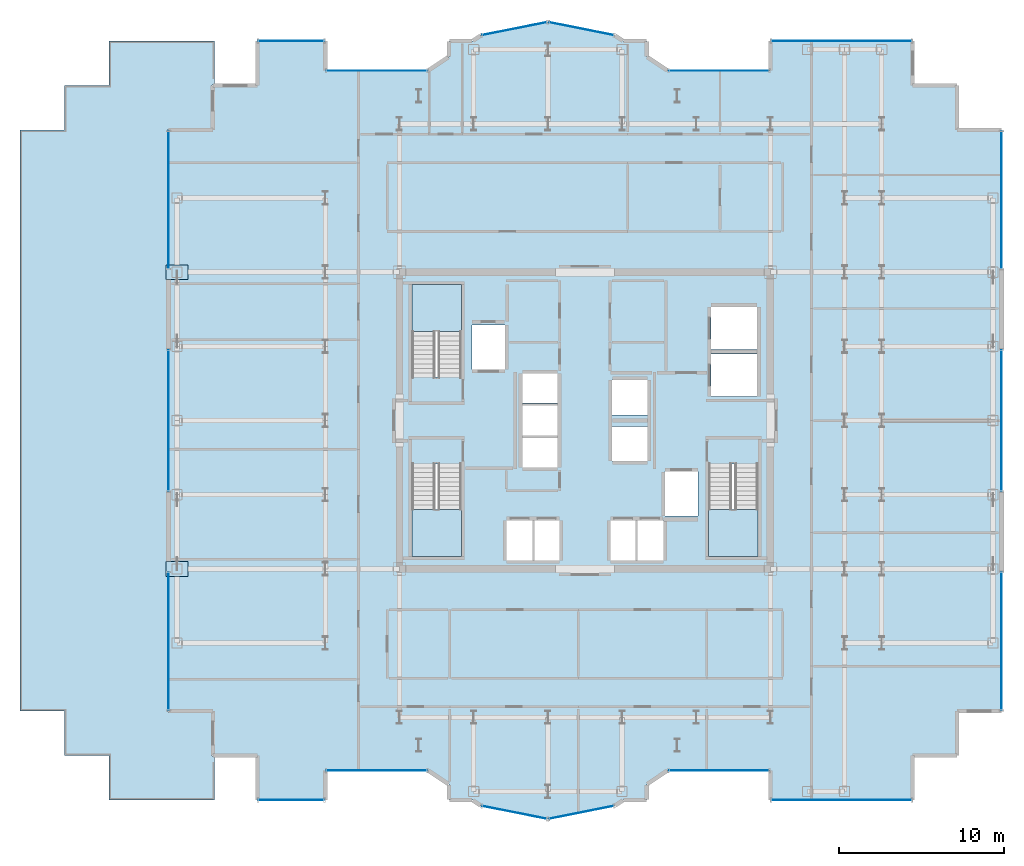
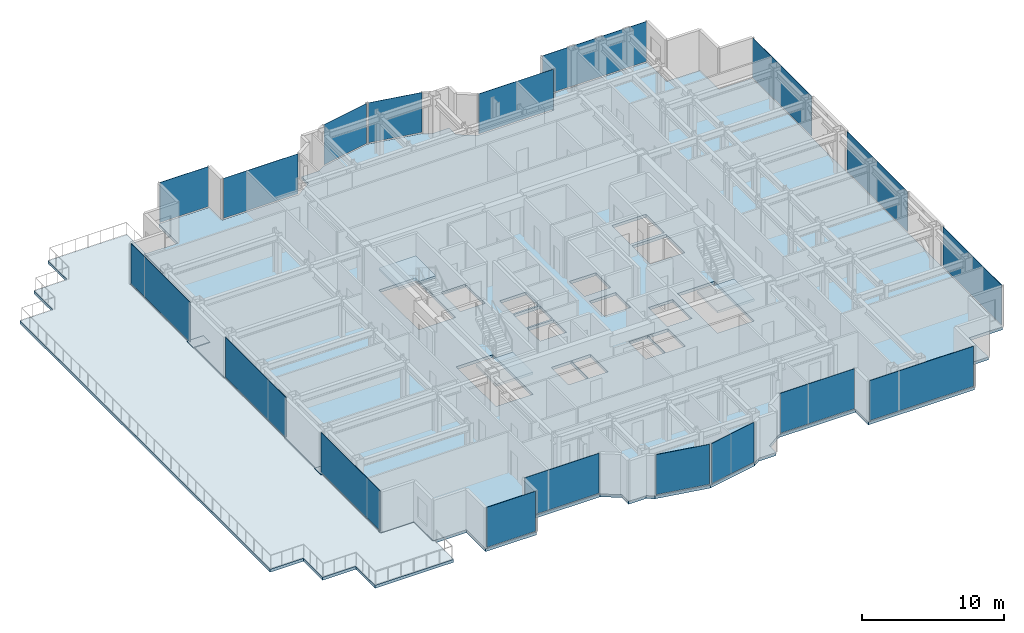
# One storey, part 12 of 21: 20 plates, 5 slabs, 21 elements without a shape of their own.
"""IFC4 building model written with IfcOpenShell, lengths in metres."""

from ifc_helpers import new_model, si_unit, direction, frame, origin, origin_2d, place, context, subcontext, project, spatial, polyline, rectangle, outline, extrude, source, transform, mapped, material, layer, layer_set, type_object, element, aggregate, save


model = new_model("IFC4")

# Units and contexts
model_context = context("Model", 3, precision=1e-05, world=origin(), true_north=direction((0.0, 1.0)))
body_context = subcontext(model_context, "Body", "Model", "MODEL_VIEW")
ifc_project = project(units=[si_unit("LENGTHUNIT", "METRE"), si_unit("AREAUNIT", "SQUARE_METRE"), si_unit("VOLUMEUNIT", "CUBIC_METRE"), si_unit("PLANEANGLEUNIT", "RADIAN"), si_unit("MASSUNIT", "GRAM", prefix="KILO")], contexts=[model_context])

# Site, building, storey
site_placement = place(None, origin())
site = spatial("IfcSite", under=ifc_project, at=site_placement, CompositionType="ELEMENT")
building_placement = place(site_placement, origin())
building = spatial("IfcBuilding", under=site, at=building_placement, Name="Nefas-Gora Pilgrimage Tower", CompositionType="ELEMENT")
storey_placement = place(building_placement, frame((0.0, 0.0, 206.60009765625)))
storey = spatial("IfcBuildingStorey", under=building, at=storey_placement, Name="L51", CompositionType="ELEMENT", Elevation=206.60009765625)

# Slabs
ifc_material_1 = material(Name="Concrete C45/55", Category="concrete")
ifc_layer_1 = layer(ifc_material_1, 0.25)
ifc_layer_set_1 = layer_set([ifc_layer_1], Name="Concrete C45/55")
slab_type_1 = type_object("IfcSlabType", Name="SLB-TER-L51-1", PredefinedType="ROOF", material=ifc_layer_set_1)
slab_1_placement = place(storey_placement, frame((0.0, 0.0, -0.25)))
element("IfcSlab", 1, at=slab_1_placement, inside=storey, type_object=slab_type_1, Name="L51 Outdoor Sky Terrace Slab TER-L51-1", PredefinedType="ROOF", context=body_context, shape_type="SweptSolid", body=[
    extrude(outline(polyline([(-28.8701171875, -23.02001953125), (-22.469970703125, -23.02001953125), (-22.469970703125, -20.3701171875), (-22.570068359375, -20.3701171875), (-22.574951171875, -20.369873046875), (-22.579833984375, -20.368896484375), (-22.58447265625, -20.367919921875), (-22.589111328125, -20.3662109375), (-22.593505859375, -20.364013671875), (-22.597900390625, -20.361572265625), (-22.601806640625, -20.358642578125), (-22.60546875, -20.35546875), (-22.608642578125, -20.351806640625), (-22.611572265625, -20.347900390625), (-22.614013671875, -20.343505859375), (-22.6162109375, -20.339111328125), (-22.617919921875, -20.33447265625), (-22.618896484375, -20.329833984375), (-22.619873046875, -20.324951171875), (-22.6201171875, -20.320068359375), (-22.6201171875, -17.669921875), (-25.27001953125, -17.669921875), (-25.27490234375, -17.669921875), (-25.27978515625, -17.6689453125), (-25.284423828125, -17.667724609375), (-25.2890625, -17.666259765625), (-25.293701171875, -17.6640625), (-25.2978515625, -17.66162109375), (-25.3017578125, -17.65869140625), (-25.305419921875, -17.655517578125), (-25.30859375, -17.651611328125), (-25.3115234375, -17.647705078125), (-25.314208984375, -17.6435546875), (-25.316162109375, -17.63916015625), (-25.31787109375, -17.634521484375), (-25.319091796875, -17.6298828125), (-25.31982421875, -17.625), (-25.320068359375, -17.6201171875), (-25.320068359375, 17.6201171875), (-25.31982421875, 17.625), (-25.319091796875, 17.6298828125), (-25.31787109375, 17.634521484375), (-25.316162109375, 17.63916015625), (-25.314208984375, 17.6435546875), (-25.3115234375, 17.647705078125), (-25.30859375, 17.651611328125), (-25.305419921875, 17.655517578125), (-25.3017578125, 17.65869140625), (-25.2978515625, 17.66162109375), (-25.293701171875, 17.6640625), (-25.2890625, 17.666259765625), (-25.284423828125, 17.667724609375), (-25.27978515625, 17.6689453125), (-25.27490234375, 17.669921875), (-25.27001953125, 17.669921875), (-22.6201171875, 17.669921875), (-22.6201171875, 20.320068359375), (-22.619873046875, 20.324951171875), (-22.618896484375, 20.329833984375), (-22.617919921875, 20.33447265625), (-22.6162109375, 20.339111328125), (-22.614013671875, 20.343505859375), (-22.611572265625, 20.347900390625), (-22.608642578125, 20.351806640625), (-22.60546875, 20.35546875), (-22.601806640625, 20.358642578125), (-22.597900390625, 20.361572265625), (-22.593505859375, 20.364013671875), (-22.589111328125, 20.3662109375), (-22.58447265625, 20.367919921875), (-22.579833984375, 20.368896484375), (-22.574951171875, 20.369873046875), (-22.570068359375, 20.3701171875), (-22.469970703125, 20.3701171875), (-22.469970703125, 23.02001953125), (-28.8701171875, 23.02001953125), (-28.8701171875, 20.320068359375), (-31.570068359375, 20.320068359375), (-31.570068359375, 17.6201171875), (-34.27001953125, 17.6201171875), (-34.27001953125, -17.6201171875), (-31.570068359375, -17.6201171875), (-31.570068359375, -20.320068359375), (-28.8701171875, -20.320068359375), (-28.8701171875, -23.02001953125)])), origin(), (0.0, 0.0, 1.0), 0.25),
])
ifc_material_2 = material(Name="Concrete C40/50", Category="concrete")
ifc_layer_2 = layer(ifc_material_2, 0.25)
ifc_layer_set_2 = layer_set([ifc_layer_2], Name="Concrete C40/50")
slab_type_2 = type_object("IfcSlabType", Name="SLB-TWR-260", PredefinedType="FLOOR", material=ifc_layer_set_2)
slab_2_placement = place(storey_placement, frame((0.0, 0.0, -0.25)))
element("IfcSlab", 2, at=slab_2_placement, inside=storey, type_object=slab_type_2, Name="L51 Structural Floor Slab", PredefinedType="FLOOR", context=body_context, shape_type="SweptSolid", body=[
    extrude(outline(polyline([(5.01806640625, -21.219970703125), (11.25, -21.219970703125), (11.25, -23.02001953125), (19.8701171875, -23.02001953125), (19.8701171875, -20.320068359375), (22.570068359375, -20.320068359375), (22.570068359375, -17.6201171875), (25.27001953125, -17.6201171875), (25.27001953125, 17.6201171875), (22.570068359375, 17.6201171875), (22.570068359375, 20.320068359375), (19.8701171875, 20.320068359375), (19.8701171875, 23.02001953125), (11.25, 23.02001953125), (11.25, 21.219970703125), (5.01806640625, 21.219970703125), (3.75, 22.0673828125), (3.75, 23.02001953125), (2.32421875, 23.02001953125), (1.807373046875, 23.365234375), (-2.25, 24.17236328125), (-6.307373046875, 23.365234375), (-6.82421875, 23.02001953125), (-8.25, 23.02001953125), (-8.25, 22.0673828125), (-9.51806640625, 21.219970703125), (-15.75, 21.219970703125), (-15.75, 23.02001953125), (-19.8701171875, 23.02001953125), (-19.8701171875, 20.320068359375), (-22.570068359375, 20.320068359375), (-22.570068359375, 17.6201171875), (-25.27001953125, 17.6201171875), (-25.27001953125, -17.6201171875), (-22.570068359375, -17.6201171875), (-22.570068359375, -20.320068359375), (-19.8701171875, -20.320068359375), (-19.8701171875, -23.02001953125), (-15.75, -23.02001953125), (-15.75, -21.219970703125), (-9.51806640625, -21.219970703125), (-8.25, -22.0673828125), (-8.25, -23.02001953125), (-6.82421875, -23.02001953125), (-6.307373046875, -23.365234375), (-2.25, -24.17236328125), (1.807373046875, -23.365234375), (2.32421875, -23.02001953125), (3.75, -23.02001953125), (3.75, -22.0673828125), (5.01806640625, -21.219970703125)]), holes=[polyline([(-10.5, 2.639892578125), (-10.5, 8.25), (-7.5, 8.25), (-7.5, 2.639892578125), (-10.5, 2.639892578125)]), polyline([(10.5, -2.639892578125), (10.5, -8.25), (7.5, -8.25), (7.5, -2.639892578125), (10.5, -2.639892578125)]), polyline([(-7.5, -2.639892578125), (-7.5, -8.25), (-10.5, -8.25), (-10.5, -2.639892578125), (-7.5, -2.639892578125)]), polyline([(-6.85009765625, 5.800048828125), (-4.85009765625, 5.800048828125), (-4.85009765625, 3.10009765625), (-6.85009765625, 3.10009765625), (-6.85009765625, 5.800048828125)]), polyline([(4.85009765625, -3.10009765625), (6.85009765625, -3.10009765625), (6.85009765625, -5.800048828125), (4.85009765625, -5.800048828125), (4.85009765625, -3.10009765625)]), polyline([(7.64990234375, 4.050048828125), (10.449951171875, 4.050048828125), (10.449951171875, 1.449951171875), (7.64990234375, 1.449951171875), (7.64990234375, 4.050048828125)]), polyline([(7.64990234375, 6.89990234375), (10.449951171875, 6.89990234375), (10.449951171875, 4.300048828125), (7.64990234375, 4.300048828125), (7.64990234375, 6.89990234375)]), polyline([(-4.75, -6.050048828125), (-3.14990234375, -6.050048828125), (-3.14990234375, -8.5), (-4.75, -8.5), (-4.75, -6.050048828125)]), polyline([(-3.10009765625, -6.050048828125), (-1.550048828125, -6.050048828125), (-1.550048828125, -8.5), (-3.10009765625, -8.5), (-3.10009765625, -6.050048828125)]), polyline([(1.550048828125, -6.050048828125), (3.10009765625, -6.050048828125), (3.10009765625, -8.5), (1.550048828125, -8.5), (1.550048828125, -6.050048828125)]), polyline([(3.14990234375, -6.050048828125), (4.75, -6.050048828125), (4.75, -8.5), (3.14990234375, -8.5), (3.14990234375, -6.050048828125)]), polyline([(-3.800048828125, -1.050048828125), (-1.64990234375, -1.050048828125), (-1.64990234375, -2.85009765625), (-3.800048828125, -2.85009765625), (-3.800048828125, -1.050048828125)]), polyline([(-3.800048828125, 0.89990234375), (-1.64990234375, 0.89990234375), (-1.64990234375, -0.89990234375), (-3.800048828125, -0.89990234375), (-3.800048828125, 0.89990234375)]), polyline([(-3.800048828125, 2.85009765625), (-1.64990234375, 2.85009765625), (-1.64990234375, 1.050048828125), (-3.800048828125, 1.050048828125), (-3.800048828125, 2.85009765625)]), polyline([(1.64990234375, -0.35009765625), (3.800048828125, -0.35009765625), (3.800048828125, -2.449951171875), (1.64990234375, -2.449951171875), (1.64990234375, -0.35009765625)]), polyline([(1.64990234375, 2.449951171875), (3.800048828125, 2.449951171875), (3.800048828125, 0.35009765625), (1.64990234375, 0.35009765625), (1.64990234375, 2.449951171875)])]), origin(), (0.0, 0.0, 1.0), 0.25),
])

# Stair, slab
stair_type = type_object("IfcStairType", Name="STR-1400-R1727", PredefinedType="HALF_TURN_STAIR", material=ifc_material_1)
stair_1_placement = place(storey_placement, origin())
stair_1 = element("IfcStair", 3, at=stair_1_placement, inside=storey, type_object=stair_type, Name="L51 Pressurised Tower Exit Stair ST-01", PredefinedType="HALF_TURN_STAIR")
ifc_layer_3 = layer(ifc_material_2, 0.199951171875)
ifc_layer_set_3 = layer_set([ifc_layer_3], Name="Concrete C40/50")
slab_type_3 = type_object("IfcSlabType", Name="STR-LAND-200", PredefinedType="LANDING", material=ifc_layer_set_3)
slab_3_placement = place(storey_placement, frame((0.0, 0.0, 1.699951171875)))
slab_3 = element("IfcSlab", 4, at=slab_3_placement, type_object=slab_type_3, Name="ST-01 landing 1", PredefinedType="LANDING", context=body_context, shape_type="SweptSolid", body=[
    extrude(outline(polyline([(-7.5, 5.39990234375), (-7.5, 8.25), (-10.5, 8.25), (-10.5, 5.39990234375), (-7.5, 5.39990234375)])), origin(), (0.0, 0.0, 1.0), 0.199951171875),
])
aggregate(stair_1, [slab_3])

stair_2_placement = place(storey_placement, origin())
stair_2 = element("IfcStair", 5, at=stair_2_placement, inside=storey, type_object=stair_type, Name="L51 Pressurised Tower Exit Stair ST-02", PredefinedType="HALF_TURN_STAIR")
slab_4_placement = place(storey_placement, frame((0.0, 0.0, 1.699951171875)))
slab_4 = element("IfcSlab", 6, at=slab_4_placement, type_object=slab_type_3, Name="ST-02 landing 1", PredefinedType="LANDING", context=body_context, shape_type="SweptSolid", body=[
    extrude(outline(polyline([(7.5, -5.39990234375), (7.5, -8.25), (10.5, -8.25), (10.5, -5.39990234375), (7.5, -5.39990234375)])), origin(), (0.0, 0.0, 1.0), 0.199951171875),
])
aggregate(stair_2, [slab_4])

stair_3_placement = place(storey_placement, origin())
stair_3 = element("IfcStair", 7, at=stair_3_placement, inside=storey, type_object=stair_type, Name="L51 Pressurised Tower Exit Stair ST-03", PredefinedType="HALF_TURN_STAIR")
slab_5_placement = place(storey_placement, frame((0.0, 0.0, 1.699951171875)))
slab_5 = element("IfcSlab", 8, at=slab_5_placement, type_object=slab_type_3, Name="ST-03 landing 1", PredefinedType="LANDING", context=body_context, shape_type="SweptSolid", body=[
    extrude(outline(polyline([(-10.5, -5.39990234375), (-10.5, -8.25), (-7.5, -8.25), (-7.5, -5.39990234375), (-10.5, -5.39990234375)])), origin(), (0.0, 0.0, 1.0), 0.199951171875),
])
aggregate(stair_3, [slab_5])

# Plates
ifc_material_3 = material(Name="Steel S460", Category="steel")
ifc_layer_4 = layer(ifc_material_3, 0.050048828125)
ifc_layer_set_4 = layer_set([ifc_layer_4], Name="Steel S460")
plate_type_1 = type_object("IfcPlateType", Name="PLT-NODE-N08", PredefinedType="USERDEFINED", material=ifc_layer_set_4)
shared_shape_1 = source(origin(), body_context, "Body", "SweptSolid", [
    extrude(rectangle(XDim=1.35009765625, YDim=0.89990234375, at=origin_2d()), origin(), (0.0, 0.0, 1.0), 0.048095703125),
])
for number, where, z_axis, x_axis, name in (
    (9, (-24.75, 9.0, 0.0556640625), (0.0, 0.0, 1.0), (1.0, 0.0, 0.0), "Structural Node Gusset Plate N08 (L51)"),
    (10, (-24.75, -9.0, 0.0556640625), (0.0, 0.0, 1.0), (1.0, 0.0, 0.0), "Structural Node Gusset Plate N08 (L51)"),
):
    element("IfcPlate", number, at=place(storey_placement, frame(where, z_axis=z_axis, x_axis=x_axis)), inside=storey, type_object=plate_type_1, Name=name, ObjectType="GUSSET_PLATE", PredefinedType="USERDEFINED", context=body_context, shape_type="MappedRepresentation", body=[
        mapped(shared_shape_1, transform((0.0, 0.0, 0.0), x_axis=(1.0, 0.0, 0.0), y_axis=(0.0, 1.0, 0.0), z_axis=(0.0, 0.0, 1.0), scale=1.0)),
    ])

# Curtain wall, plate
ifc_material_4 = material(Name="Dark ceramic-fritted solar-control aluminium-glass curtain wall", Category="aluminium")
ifc_layer_5 = layer(ifc_material_4, 0.219970703125)
ifc_layer_set_5 = layer_set([ifc_layer_5], Name="Dark ceramic-fritted solar-control aluminium-glass curtain wall")
curtain_wall_type_1 = type_object("IfcCurtainWallType", Name="CW-SYS-5", PredefinedType="NOTDEFINED", material=ifc_layer_set_5)
curtain_wall_1_placement = place(storey_placement, origin())
curtain_wall_1 = element("IfcCurtainWall", 11, at=curtain_wall_1_placement, inside=storey, type_object=curtain_wall_type_1, Name="L51 Unitised Curtain Wall CW5", PredefinedType="NOTDEFINED")
ifc_material_5 = material(Name="Dark ceramic-printed low-e insulated glass", Category="glass")
ifc_layer_6 = layer(ifc_material_5, 0.028076171875)
ifc_layer_set_6 = layer_set([ifc_layer_6], Name="Dark ceramic-printed low-e insulated glass")
plate_type_2 = type_object("IfcPlateType", Name="CWP-PNL-5", PredefinedType="CURTAIN_PANEL", material=ifc_layer_set_6)
shared_shape_2 = source(origin(), body_context, "Body", "SweptSolid", [
    extrude(rectangle(XDim=6.052001953125, YDim=0.028076171875, at=origin_2d()), origin(), (0.0, 0.0, 1.0), 3.43994140625),
])
plate_1_placement = place(storey_placement, frame((8.134033203125, -21.219970703125, 0.099853515625), z_axis=(0.0, 0.0, 1.0), x_axis=(1.0, 0.0, 0.0)))
plate_1 = element("IfcPlate", 12, at=plate_1_placement, type_object=plate_type_2, Name="CW5 Ceramic-Fritted Glazing Panel 1", PredefinedType="CURTAIN_PANEL", context=body_context, shape_type="MappedRepresentation", body=[
    mapped(shared_shape_2, transform((0.0, 0.0, 0.0), x_axis=(1.0, 0.0, 0.0), y_axis=(0.0, 1.0, 0.0), z_axis=(0.0, 0.0, 1.0), scale=1.0)),
])
aggregate(curtain_wall_1, [plate_1])

curtain_wall_2_placement = place(storey_placement, origin())
curtain_wall_2 = element("IfcCurtainWall", 13, at=curtain_wall_2_placement, inside=storey, type_object=curtain_wall_type_1, Name="L51 Unitised Curtain Wall CW5", PredefinedType="NOTDEFINED")
plate_2_placement = place(storey_placement, frame((8.134033203125, 21.219970703125, 0.099853515625), z_axis=(0.0, 0.0, 1.0), x_axis=(-1.0, 0.0, 0.0)))
plate_2 = element("IfcPlate", 14, at=plate_2_placement, type_object=plate_type_2, Name="CW5 Ceramic-Fritted Glazing Panel 1", PredefinedType="CURTAIN_PANEL", context=body_context, shape_type="MappedRepresentation", body=[
    mapped(shared_shape_2, transform((0.0, 0.0, 0.0), x_axis=(1.0, 0.0, 0.0), y_axis=(0.0, 1.0, 0.0), z_axis=(0.0, 0.0, 1.0), scale=1.0)),
])
aggregate(curtain_wall_2, [plate_2])

curtain_wall_3_placement = place(storey_placement, origin())
curtain_wall_3 = element("IfcCurtainWall", 15, at=curtain_wall_3_placement, inside=storey, type_object=curtain_wall_type_1, Name="L51 Unitised Curtain Wall CW5", PredefinedType="NOTDEFINED")
plate_3_placement = place(storey_placement, frame((-12.634033203125, 21.219970703125, 0.099853515625), z_axis=(0.0, 0.0, 1.0), x_axis=(-1.0, 0.0, 0.0)))
plate_3 = element("IfcPlate", 16, at=plate_3_placement, type_object=plate_type_2, Name="CW5 Ceramic-Fritted Glazing Panel 1", PredefinedType="CURTAIN_PANEL", context=body_context, shape_type="MappedRepresentation", body=[
    mapped(shared_shape_2, transform((0.0, 0.0, 0.0), x_axis=(1.0, 0.0, 0.0), y_axis=(0.0, 1.0, 0.0), z_axis=(0.0, 0.0, 1.0), scale=1.0)),
])
aggregate(curtain_wall_3, [plate_3])

curtain_wall_4_placement = place(storey_placement, origin())
curtain_wall_4 = element("IfcCurtainWall", 17, at=curtain_wall_4_placement, inside=storey, type_object=curtain_wall_type_1, Name="L51 Unitised Curtain Wall CW5", PredefinedType="NOTDEFINED")
plate_4_placement = place(storey_placement, frame((-12.634033203125, -21.219970703125, 0.099853515625), z_axis=(0.0, 0.0, 1.0), x_axis=(1.0, 0.0, 0.0)))
plate_4 = element("IfcPlate", 18, at=plate_4_placement, type_object=plate_type_2, Name="CW5 Ceramic-Fritted Glazing Panel 1", PredefinedType="CURTAIN_PANEL", context=body_context, shape_type="MappedRepresentation", body=[
    mapped(shared_shape_2, transform((0.0, 0.0, 0.0), x_axis=(1.0, 0.0, 0.0), y_axis=(0.0, 1.0, 0.0), z_axis=(0.0, 0.0, 1.0), scale=1.0)),
])
aggregate(curtain_wall_4, [plate_4])

curtain_wall_5_placement = place(storey_placement, origin())
curtain_wall_5 = element("IfcCurtainWall", 19, at=curtain_wall_5_placement, inside=storey, type_object=curtain_wall_type_1, Name="L51 Unitised Curtain Wall CW5", PredefinedType="NOTDEFINED")
shared_shape_3 = source(origin(), body_context, "Body", "SweptSolid", [
    extrude(rectangle(XDim=3.956787109375, YDim=0.028076171875, at=origin_2d()), origin(), (0.0, 0.0, 1.0), 3.43994140625),
])
plate_5_placement = place(storey_placement, frame((-0.22119140625, 23.768798828125, 0.099853515625), z_axis=(0.0, 0.0, 1.0), x_axis=(-0.980782896852, 0.195102304554, 0.0)))
plate_5 = element("IfcPlate", 20, at=plate_5_placement, type_object=plate_type_2, Name="CW5 Ceramic-Fritted Glazing Panel 1", PredefinedType="CURTAIN_PANEL", context=body_context, shape_type="MappedRepresentation", body=[
    mapped(shared_shape_3, transform((0.0, 0.0, 0.0), x_axis=(1.0, 0.0, 0.0), y_axis=(0.0, 1.0, 0.0), z_axis=(0.0, 0.0, 1.0), scale=1.0)),
])
aggregate(curtain_wall_5, [plate_5])

curtain_wall_6_placement = place(storey_placement, origin())
curtain_wall_6 = element("IfcCurtainWall", 21, at=curtain_wall_6_placement, inside=storey, type_object=curtain_wall_type_1, Name="L51 Unitised Curtain Wall CW5", PredefinedType="NOTDEFINED")
plate_6_placement = place(storey_placement, frame((-4.278564453125, 23.768798828125, 0.099853515625), z_axis=(0.0, 0.0, 1.0), x_axis=(-0.980782896852, -0.195102304554, 0.0)))
plate_6 = element("IfcPlate", 22, at=plate_6_placement, type_object=plate_type_2, Name="CW5 Ceramic-Fritted Glazing Panel 1", PredefinedType="CURTAIN_PANEL", context=body_context, shape_type="MappedRepresentation", body=[
    mapped(shared_shape_3, transform((0.0, 0.0, 0.0), x_axis=(1.0, 0.0, 0.0), y_axis=(0.0, 1.0, 0.0), z_axis=(0.0, 0.0, 1.0), scale=1.0)),
])
aggregate(curtain_wall_6, [plate_6])

curtain_wall_7_placement = place(storey_placement, origin())
curtain_wall_7 = element("IfcCurtainWall", 23, at=curtain_wall_7_placement, inside=storey, type_object=curtain_wall_type_1, Name="L51 Unitised Curtain Wall CW5", PredefinedType="NOTDEFINED")
plate_7_placement = place(storey_placement, frame((-4.278564453125, -23.768798828125, 0.099853515625), z_axis=(0.0, 0.0, 1.0), x_axis=(0.980782896852, -0.195102304554, 0.0)))
plate_7 = element("IfcPlate", 24, at=plate_7_placement, type_object=plate_type_2, Name="CW5 Ceramic-Fritted Glazing Panel 1", PredefinedType="CURTAIN_PANEL", context=body_context, shape_type="MappedRepresentation", body=[
    mapped(shared_shape_3, transform((0.0, 0.0, 0.0), x_axis=(1.0, 0.0, 0.0), y_axis=(0.0, 1.0, 0.0), z_axis=(0.0, 0.0, 1.0), scale=1.0)),
])
aggregate(curtain_wall_7, [plate_7])

curtain_wall_8_placement = place(storey_placement, origin())
curtain_wall_8 = element("IfcCurtainWall", 25, at=curtain_wall_8_placement, inside=storey, type_object=curtain_wall_type_1, Name="L51 Unitised Curtain Wall CW5", PredefinedType="NOTDEFINED")
plate_8_placement = place(storey_placement, frame((-0.221435546875, -23.768798828125, 0.099853515625), z_axis=(0.0, 0.0, 1.0), x_axis=(0.980782896852, 0.195102304554, 0.0)))
plate_8 = element("IfcPlate", 26, at=plate_8_placement, type_object=plate_type_2, Name="CW5 Ceramic-Fritted Glazing Panel 1", PredefinedType="CURTAIN_PANEL", context=body_context, shape_type="MappedRepresentation", body=[
    mapped(shared_shape_3, transform((0.0, 0.0, 0.0), x_axis=(1.0, 0.0, 0.0), y_axis=(0.0, 1.0, 0.0), z_axis=(0.0, 0.0, 1.0), scale=1.0)),
])
aggregate(curtain_wall_8, [plate_8])

ifc_layer_7 = layer(ifc_material_4, 0.219970703125)
ifc_layer_set_7 = layer_set([ifc_layer_7], Name="Dark ceramic-fritted solar-control aluminium-glass curtain wall")
curtain_wall_type_2 = type_object("IfcCurtainWallType", Name="CW-SYS-3", PredefinedType="NOTDEFINED", material=ifc_layer_set_7)
curtain_wall_9_placement = place(storey_placement, origin())
curtain_wall_9 = element("IfcCurtainWall", 27, at=curtain_wall_9_placement, inside=storey, type_object=curtain_wall_type_2, Name="L51 Unitised Curtain Wall CW3", PredefinedType="NOTDEFINED")
ifc_layer_8 = layer(ifc_material_5, 0.033935546875)
ifc_layer_set_8 = layer_set([ifc_layer_8], Name="Dark ceramic-printed low-e insulated glass")
plate_type_3 = type_object("IfcPlateType", Name="CWP-PNL-3", PredefinedType="CURTAIN_PANEL", material=ifc_layer_set_8)
shared_shape_4 = source(origin(), body_context, "Body", "SweptSolid", [
    extrude(rectangle(XDim=8.43994140625, YDim=0.033935546875, at=origin_2d()), origin(), (0.0, 0.0, 1.0), 3.43994140625),
])
plate_9_placement = place(storey_placement, frame((15.56005859375, -23.02001953125, 0.099853515625), z_axis=(0.0, 0.0, 1.0), x_axis=(1.0, 0.0, 0.0)))
plate_9 = element("IfcPlate", 28, at=plate_9_placement, type_object=plate_type_3, Name="CW3 Ceramic-Fritted Glazing Panel 1", PredefinedType="CURTAIN_PANEL", context=body_context, shape_type="MappedRepresentation", body=[
    mapped(shared_shape_4, transform((0.0, 0.0, 0.0), x_axis=(1.0, 0.0, 0.0), y_axis=(0.0, 1.0, 0.0), z_axis=(0.0, 0.0, 1.0), scale=1.0)),
])
aggregate(curtain_wall_9, [plate_9])

curtain_wall_10_placement = place(storey_placement, origin())
curtain_wall_10 = element("IfcCurtainWall", 29, at=curtain_wall_10_placement, inside=storey, type_object=curtain_wall_type_2, Name="L51 Unitised Curtain Wall CW3", PredefinedType="NOTDEFINED")
plate_10_placement = place(storey_placement, frame((15.56005859375, 23.02001953125, 0.099853515625), z_axis=(0.0, 0.0, 1.0), x_axis=(-1.0, 0.0, 0.0)))
plate_10 = element("IfcPlate", 30, at=plate_10_placement, type_object=plate_type_3, Name="CW3 Ceramic-Fritted Glazing Panel 1", PredefinedType="CURTAIN_PANEL", context=body_context, shape_type="MappedRepresentation", body=[
    mapped(shared_shape_4, transform((0.0, 0.0, 0.0), x_axis=(1.0, 0.0, 0.0), y_axis=(0.0, 1.0, 0.0), z_axis=(0.0, 0.0, 1.0), scale=1.0)),
])
aggregate(curtain_wall_10, [plate_10])

curtain_wall_11_placement = place(storey_placement, origin())
curtain_wall_11 = element("IfcCurtainWall", 31, at=curtain_wall_11_placement, inside=storey, type_object=curtain_wall_type_2, Name="L51 Unitised Curtain Wall CW3", PredefinedType="NOTDEFINED")
shared_shape_5 = source(origin(), body_context, "Body", "SweptSolid", [
    extrude(rectangle(XDim=8.2900390625, YDim=0.033935546875, at=origin_2d()), origin(), (0.0, 0.0, 1.0), 3.43994140625),
])
plate_11_placement = place(storey_placement, frame((25.27001953125, -13.385009765625, 0.099853515625), z_axis=(0.0, 0.0, 1.0), x_axis=(0.0, 1.0, 0.0)))
plate_11 = element("IfcPlate", 32, at=plate_11_placement, type_object=plate_type_3, Name="CW3 Ceramic-Fritted Glazing Panel 1", PredefinedType="CURTAIN_PANEL", context=body_context, shape_type="MappedRepresentation", body=[
    mapped(shared_shape_5, transform((0.0, 0.0, 0.0), x_axis=(1.0, 0.0, 0.0), y_axis=(0.0, 1.0, 0.0), z_axis=(0.0, 0.0, 1.0), scale=1.0)),
])
aggregate(curtain_wall_11, [plate_11])

curtain_wall_12_placement = place(storey_placement, origin())
curtain_wall_12 = element("IfcCurtainWall", 33, at=curtain_wall_12_placement, inside=storey, type_object=curtain_wall_type_2, Name="L51 Unitised Curtain Wall CW3", PredefinedType="NOTDEFINED")
plate_12_placement = place(storey_placement, frame((25.27001953125, 13.385009765625, 0.099853515625), z_axis=(0.0, 0.0, 1.0), x_axis=(0.0, 1.0, 0.0)))
plate_12 = element("IfcPlate", 34, at=plate_12_placement, type_object=plate_type_3, Name="CW3 Ceramic-Fritted Glazing Panel 1", PredefinedType="CURTAIN_PANEL", context=body_context, shape_type="MappedRepresentation", body=[
    mapped(shared_shape_5, transform((0.0, 0.0, 0.0), x_axis=(1.0, 0.0, 0.0), y_axis=(0.0, 1.0, 0.0), z_axis=(0.0, 0.0, 1.0), scale=1.0)),
])
aggregate(curtain_wall_12, [plate_12])

curtain_wall_13_placement = place(storey_placement, origin())
curtain_wall_13 = element("IfcCurtainWall", 35, at=curtain_wall_13_placement, inside=storey, type_object=curtain_wall_type_2, Name="L51 Unitised Curtain Wall CW3", PredefinedType="NOTDEFINED")
plate_13_placement = place(storey_placement, frame((-25.27001953125, 13.385009765625, 0.099853515625), z_axis=(0.0, 0.0, 1.0), x_axis=(0.0, -1.0, 0.0)))
plate_13 = element("IfcPlate", 36, at=plate_13_placement, type_object=plate_type_3, Name="CW3 Ceramic-Fritted Glazing Panel 1", PredefinedType="CURTAIN_PANEL", context=body_context, shape_type="MappedRepresentation", body=[
    mapped(shared_shape_5, transform((0.0, 0.0, 0.0), x_axis=(1.0, 0.0, 0.0), y_axis=(0.0, 1.0, 0.0), z_axis=(0.0, 0.0, 1.0), scale=1.0)),
])
aggregate(curtain_wall_13, [plate_13])

curtain_wall_14_placement = place(storey_placement, origin())
curtain_wall_14 = element("IfcCurtainWall", 37, at=curtain_wall_14_placement, inside=storey, type_object=curtain_wall_type_2, Name="L51 Unitised Curtain Wall CW3", PredefinedType="NOTDEFINED")
plate_14_placement = place(storey_placement, frame((-25.27001953125, -13.385009765625, 0.099853515625), z_axis=(0.0, 0.0, 1.0), x_axis=(0.0, -1.0, 0.0)))
plate_14 = element("IfcPlate", 38, at=plate_14_placement, type_object=plate_type_3, Name="CW3 Ceramic-Fritted Glazing Panel 1", PredefinedType="CURTAIN_PANEL", context=body_context, shape_type="MappedRepresentation", body=[
    mapped(shared_shape_5, transform((0.0, 0.0, 0.0), x_axis=(1.0, 0.0, 0.0), y_axis=(0.0, 1.0, 0.0), z_axis=(0.0, 0.0, 1.0), scale=1.0)),
])
aggregate(curtain_wall_14, [plate_14])

curtain_wall_15_placement = place(storey_placement, origin())
curtain_wall_15 = element("IfcCurtainWall", 39, at=curtain_wall_15_placement, inside=storey, type_object=curtain_wall_type_2, Name="L51 Unitised Curtain Wall CW3", PredefinedType="NOTDEFINED")
shared_shape_6 = source(origin(), body_context, "Body", "SweptSolid", [
    extrude(rectangle(XDim=8.52001953125, YDim=0.033935546875, at=origin_2d()), origin(), (0.0, 0.0, 1.0), 3.43994140625),
])
plate_15_placement = place(storey_placement, frame((25.27001953125, 0.0, 0.099853515625), z_axis=(0.0, 0.0, 1.0), x_axis=(0.0, 1.0, 0.0)))
plate_15 = element("IfcPlate", 40, at=plate_15_placement, type_object=plate_type_3, Name="CW3 Ceramic-Fritted Glazing Panel 1", PredefinedType="CURTAIN_PANEL", context=body_context, shape_type="MappedRepresentation", body=[
    mapped(shared_shape_6, transform((0.0, 0.0, 0.0), x_axis=(1.0, 0.0, 0.0), y_axis=(0.0, 1.0, 0.0), z_axis=(0.0, 0.0, 1.0), scale=1.0)),
])
aggregate(curtain_wall_15, [plate_15])

curtain_wall_16_placement = place(storey_placement, origin())
curtain_wall_16 = element("IfcCurtainWall", 41, at=curtain_wall_16_placement, inside=storey, type_object=curtain_wall_type_2, Name="L51 Unitised Curtain Wall CW3", PredefinedType="NOTDEFINED")
plate_16_placement = place(storey_placement, frame((-25.27001953125, 0.0, 0.099853515625), z_axis=(0.0, 0.0, 1.0), x_axis=(0.0, -1.0, 0.0)))
plate_16 = element("IfcPlate", 42, at=plate_16_placement, type_object=plate_type_3, Name="CW3 Ceramic-Fritted Glazing Panel 1", PredefinedType="CURTAIN_PANEL", context=body_context, shape_type="MappedRepresentation", body=[
    mapped(shared_shape_6, transform((0.0, 0.0, 0.0), x_axis=(1.0, 0.0, 0.0), y_axis=(0.0, 1.0, 0.0), z_axis=(0.0, 0.0, 1.0), scale=1.0)),
])
aggregate(curtain_wall_16, [plate_16])

curtain_wall_17_placement = place(storey_placement, origin())
curtain_wall_17 = element("IfcCurtainWall", 43, at=curtain_wall_17_placement, inside=storey, type_object=curtain_wall_type_2, Name="L51 Unitised Curtain Wall CW3", PredefinedType="NOTDEFINED")
shared_shape_7 = source(origin(), body_context, "Body", "SweptSolid", [
    extrude(rectangle(XDim=3.93994140625, YDim=0.033935546875, at=origin_2d()), origin(), (0.0, 0.0, 1.0), 3.43994140625),
])
plate_17_placement = place(storey_placement, frame((-17.81005859375, 23.02001953125, 0.099853515625), z_axis=(0.0, 0.0, 1.0), x_axis=(-1.0, 0.0, 0.0)))
plate_17 = element("IfcPlate", 44, at=plate_17_placement, type_object=plate_type_3, Name="CW3 Ceramic-Fritted Glazing Panel 1", PredefinedType="CURTAIN_PANEL", context=body_context, shape_type="MappedRepresentation", body=[
    mapped(shared_shape_7, transform((0.0, 0.0, 0.0), x_axis=(1.0, 0.0, 0.0), y_axis=(0.0, 1.0, 0.0), z_axis=(0.0, 0.0, 1.0), scale=1.0)),
])
aggregate(curtain_wall_17, [plate_17])

curtain_wall_18_placement = place(storey_placement, origin())
curtain_wall_18 = element("IfcCurtainWall", 45, at=curtain_wall_18_placement, inside=storey, type_object=curtain_wall_type_2, Name="L51 Unitised Curtain Wall CW3", PredefinedType="NOTDEFINED")
plate_18_placement = place(storey_placement, frame((-17.81005859375, -23.02001953125, 0.099853515625), z_axis=(0.0, 0.0, 1.0), x_axis=(1.0, 0.0, 0.0)))
plate_18 = element("IfcPlate", 46, at=plate_18_placement, type_object=plate_type_3, Name="CW3 Ceramic-Fritted Glazing Panel 1", PredefinedType="CURTAIN_PANEL", context=body_context, shape_type="MappedRepresentation", body=[
    mapped(shared_shape_7, transform((0.0, 0.0, 0.0), x_axis=(1.0, 0.0, 0.0), y_axis=(0.0, 1.0, 0.0), z_axis=(0.0, 0.0, 1.0), scale=1.0)),
])
aggregate(curtain_wall_18, [plate_18])

save(model, "model.ifc")
